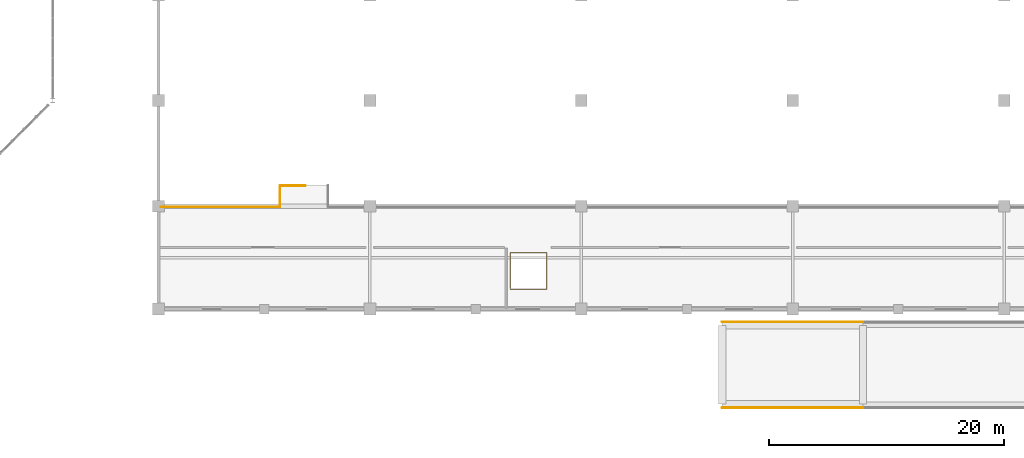
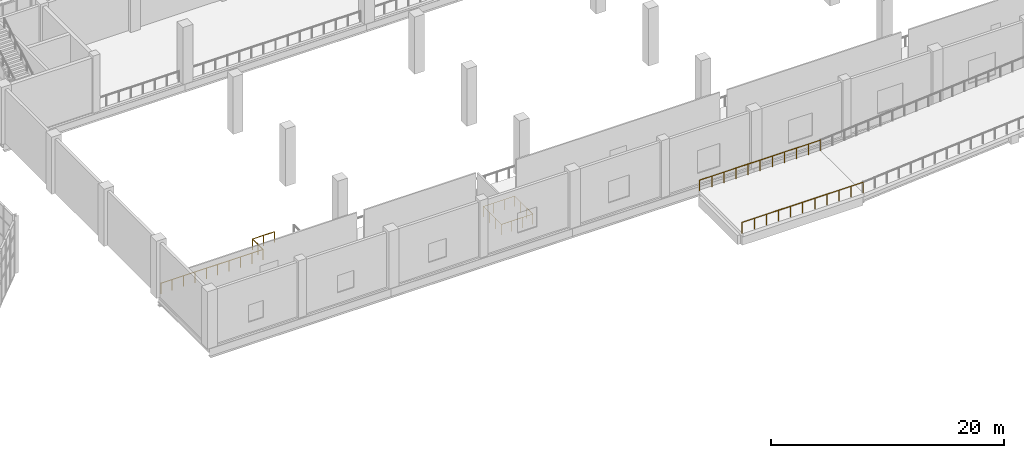
# One storey, part 144 of 159: 4 railings.
"""IFC4 building model written with IfcOpenShell, lengths in metres."""

from ifc_helpers import new_model, si_unit, direction, frame, origin, origin_2d, place, context, subcontext, project, spatial, circle, extrude, material, type_object, element, save


model = new_model("IFC4")

# Units and contexts
model_context = context("Model", 3, precision=1e-05, world=origin(), true_north=direction((0.0, 1.0)))
body_context = subcontext(model_context, "Body", "Model", "MODEL_VIEW")
ifc_project = project(units=[si_unit("LENGTHUNIT", "METRE"), si_unit("AREAUNIT", "SQUARE_METRE"), si_unit("VOLUMEUNIT", "CUBIC_METRE"), si_unit("PLANEANGLEUNIT", "RADIAN"), si_unit("MASSUNIT", "GRAM", prefix="KILO")], contexts=[model_context])

# Site, building, storey
site_placement = place(None, origin())
site = spatial("IfcSite", under=ifc_project, at=site_placement, CompositionType="ELEMENT")
building_placement = place(site_placement, origin())
building = spatial("IfcBuilding", under=site, at=building_placement, Name="Cazmaro Siding Exhibition Halls", CompositionType="ELEMENT")
storey_placement = place(building_placement, frame((0.0, 0.0, 6.0)))
storey = spatial("IfcBuildingStorey", under=building, at=storey_placement, Name="L01", CompositionType="ELEMENT", Elevation=6.0)

# Railings
ifc_material_1 = material(Name="Interior Laminated Glass and Brushed Stainless Steel Balustrade", Category="steel")
railing_type_1 = type_object("IfcRailingType", Name="RL-BAL-02", PredefinedType="BALUSTRADE", material=ifc_material_1)
railing_1_placement = place(storey_placement, frame((72.199951171875, 17.949951171875, 0.0)))
element("IfcRailing", 1, at=railing_1_placement, inside=storey, type_object=railing_type_1, Name="Hall B1 South Mezzanine Guard West RL-BAL-02 RL-G049", PredefinedType="BALUSTRADE", context=body_context, shape_type="SweptSolid", body=[
    extrude(circle(Radius=0.02392578125, at=origin_2d()), frame((0.0, 0.0, 1.09619140625), z_axis=(1.0, 0.0, 0.0), x_axis=(0.0, 1.0, 0.0)), (0.0, 0.0, 1.0), 10.150146484375),
    extrude(circle(Radius=0.02392578125, at=origin_2d()), frame((10.150146484375, 0.0, 1.09619140625), z_axis=(0.0, 1.0, 0.0), x_axis=(-1.0, 0.0, 0.0)), (0.0, 0.0, 1.0), 1.800048828125),
    extrude(circle(Radius=0.02392578125, at=origin_2d()), frame((10.150146484375, 1.800048828125, 1.09619140625), z_axis=(1.0, 0.0, 0.0), x_axis=(0.0, 1.0, 0.0)), (0.0, 0.0, 1.0), 2.14990234375),
    extrude(circle(Radius=0.02099609375, at=origin_2d()), origin(), (0.0, 0.0, 1.0), 1.072021484375),
    extrude(circle(Radius=0.02099609375, at=origin_2d()), frame((1.127685546875, 0.0, 0.0)), (0.0, 0.0, 1.0), 1.072021484375),
    extrude(circle(Radius=0.02099609375, at=origin_2d()), frame((2.255615234375, 0.0, 0.0)), (0.0, 0.0, 1.0), 1.072021484375),
    extrude(circle(Radius=0.02099609375, at=origin_2d()), frame((3.38330078125, 0.0, 0.0)), (0.0, 0.0, 1.0), 1.072021484375),
    extrude(circle(Radius=0.02099609375, at=origin_2d()), frame((4.51123046875, 0.0, 0.0)), (0.0, 0.0, 1.0), 1.072021484375),
    extrude(circle(Radius=0.02099609375, at=origin_2d()), frame((5.638916015625, 0.0, 0.0)), (0.0, 0.0, 1.0), 1.072021484375),
    extrude(circle(Radius=0.02099609375, at=origin_2d()), frame((6.766845703125, 0.0, 0.0)), (0.0, 0.0, 1.0), 1.072021484375),
    extrude(circle(Radius=0.02099609375, at=origin_2d()), frame((7.89453125, 0.0, 0.0)), (0.0, 0.0, 1.0), 1.072021484375),
    extrude(circle(Radius=0.02099609375, at=origin_2d()), frame((9.0224609375, 0.0, 0.0)), (0.0, 0.0, 1.0), 1.072021484375),
    extrude(circle(Radius=0.02099609375, at=origin_2d()), frame((10.150146484375, 0.0, 0.0)), (0.0, 0.0, 1.0), 1.072021484375),
    extrude(circle(Radius=0.02099609375, at=origin_2d()), frame((10.150146484375, 0.89990234375, 0.0)), (0.0, 0.0, 1.0), 1.072021484375),
    extrude(circle(Radius=0.02099609375, at=origin_2d()), frame((10.150146484375, 1.800048828125, 0.0)), (0.0, 0.0, 1.0), 1.072021484375),
    extrude(circle(Radius=0.02099609375, at=origin_2d()), frame((11.22509765625, 1.800048828125, 0.0)), (0.0, 0.0, 1.0), 1.072021484375),
    extrude(circle(Radius=0.02099609375, at=origin_2d()), frame((12.300048828125, 1.800048828125, 0.0)), (0.0, 0.0, 1.0), 1.072021484375),
])
railing_2_placement = place(storey_placement, frame((101.949951171875, 10.949951171875, 0.0)))
element("IfcRailing", 2, at=railing_2_placement, inside=storey, type_object=railing_type_1, Name="Hall B1 Mezzanine Void Guard RL-BAL-02 RL-G053", PredefinedType="BALUSTRADE", context=body_context, shape_type="SweptSolid", body=[
    extrude(circle(Radius=0.02392578125, at=origin_2d()), frame((0.0, 0.0, 1.09619140625), z_axis=(1.0, 0.0, 0.0), x_axis=(0.0, 1.0, 0.0)), (0.0, 0.0, 1.0), 3.10009765625),
    extrude(circle(Radius=0.02392578125, at=origin_2d()), frame((3.10009765625, 0.0, 1.09619140625), z_axis=(0.0, 1.0, 0.0), x_axis=(-1.0, 0.0, 0.0)), (0.0, 0.0, 1.0), 3.10009765625),
    extrude(circle(Radius=0.02392578125, at=origin_2d()), frame((3.10009765625, 3.10009765625, 1.09619140625), z_axis=(-1.0, 0.0, 0.0), x_axis=(0.0, -1.0, 0.0)), (0.0, 0.0, 1.0), 3.10009765625),
    extrude(circle(Radius=0.02392578125, at=origin_2d()), frame((0.0, 3.10009765625, 1.09619140625), z_axis=(0.0, -1.0, 0.0), x_axis=(1.0, 0.0, 0.0)), (0.0, 0.0, 1.0), 3.0400390625),
    extrude(circle(Radius=0.02099609375, at=origin_2d()), origin(), (0.0, 0.0, 1.0), 1.072021484375),
    extrude(circle(Radius=0.02099609375, at=origin_2d()), frame((1.033447265625, 0.0, 0.0)), (0.0, 0.0, 1.0), 1.072021484375),
    extrude(circle(Radius=0.02099609375, at=origin_2d()), frame((2.066650390625, 0.0, 0.0)), (0.0, 0.0, 1.0), 1.072021484375),
    extrude(circle(Radius=0.02099609375, at=origin_2d()), frame((3.10009765625, 0.0, 0.0)), (0.0, 0.0, 1.0), 1.072021484375),
    extrude(circle(Radius=0.02099609375, at=origin_2d()), frame((3.10009765625, 1.033447265625, 0.0)), (0.0, 0.0, 1.0), 1.072021484375),
    extrude(circle(Radius=0.02099609375, at=origin_2d()), frame((3.10009765625, 2.066650390625, 0.0)), (0.0, 0.0, 1.0), 1.072021484375),
    extrude(circle(Radius=0.02099609375, at=origin_2d()), frame((3.10009765625, 3.10009765625, 0.0)), (0.0, 0.0, 1.0), 1.072021484375),
    extrude(circle(Radius=0.02099609375, at=origin_2d()), frame((2.066650390625, 3.10009765625, 0.0)), (0.0, 0.0, 1.0), 1.072021484375),
    extrude(circle(Radius=0.02099609375, at=origin_2d()), frame((1.033447265625, 3.10009765625, 0.0)), (0.0, 0.0, 1.0), 1.072021484375),
    extrude(circle(Radius=0.02099609375, at=origin_2d()), frame((0.0, 3.10009765625, 0.0)), (0.0, 0.0, 1.0), 1.072021484375),
    extrude(circle(Radius=0.02099609375, at=origin_2d()), frame((0.0, 2.086669921875, 0.0)), (0.0, 0.0, 1.0), 1.072021484375),
    extrude(circle(Radius=0.02099609375, at=origin_2d()), frame((0.0, 1.073486328125, 0.0)), (0.0, 0.0, 1.0), 1.072021484375),
    extrude(circle(Radius=0.02099609375, at=origin_2d()), frame((0.0, 0.06005859375, 0.0)), (0.0, 0.0, 1.0), 1.072021484375),
])
ifc_material_2 = material(Name="Heavy-Duty Painted Steel Crash Guardrail", Category="steel")
railing_type_2 = type_object("IfcRailingType", Name="RL-GRD-02", PredefinedType="GUARDRAIL", material=ifc_material_2)
for number, where, name in (
    (3, (120.0, 0.85009765625, 0.0), "Truck Ramp Mid-Landing South Crash Guard RL-GRD-02 RL-G064"),
    (4, (120.0, 8.14990234375, 0.0), "Truck Ramp Mid-Landing North Crash Guard RL-GRD-02 RL-G065"),
):
    element("IfcRailing", number, at=place(storey_placement, frame(where)), inside=storey, type_object=railing_type_2, Name=name, PredefinedType="GUARDRAIL", context=body_context, shape_type="SweptSolid", body=[
        extrude(circle(Radius=0.02392578125, at=origin_2d()), frame((0.0, 0.0, 1.1259765625), z_axis=(1.0, 0.0, 0.0), x_axis=(0.0, 1.0, 0.0)), (0.0, 0.0, 1.0), 12.0),
        extrude(circle(Radius=0.02099609375, at=origin_2d()), origin(), (0.0, 0.0, 1.0), 1.101806640625),
        extrude(circle(Radius=0.02099609375, at=origin_2d()), frame((1.199951171875, 0.0, 0.0)), (0.0, 0.0, 1.0), 1.101806640625),
        extrude(circle(Radius=0.02099609375, at=origin_2d()), frame((2.39990234375, 0.0, 0.0)), (0.0, 0.0, 1.0), 1.101806640625),
        extrude(circle(Radius=0.02099609375, at=origin_2d()), frame((3.60009765625, 0.0, 0.0)), (0.0, 0.0, 1.0), 1.101806640625),
        extrude(circle(Radius=0.02099609375, at=origin_2d()), frame((4.800048828125, 0.0, 0.0)), (0.0, 0.0, 1.0), 1.101806640625),
        extrude(circle(Radius=0.02099609375, at=origin_2d()), frame((6.0, 0.0, 0.0)), (0.0, 0.0, 1.0), 1.101806640625),
        extrude(circle(Radius=0.02099609375, at=origin_2d()), frame((7.199951171875, 0.0, 0.0)), (0.0, 0.0, 1.0), 1.101806640625),
        extrude(circle(Radius=0.02099609375, at=origin_2d()), frame((8.39990234375, 0.0, 0.0)), (0.0, 0.0, 1.0), 1.101806640625),
        extrude(circle(Radius=0.02099609375, at=origin_2d()), frame((9.60009765625, 0.0, 0.0)), (0.0, 0.0, 1.0), 1.101806640625),
        extrude(circle(Radius=0.02099609375, at=origin_2d()), frame((10.800048828125, 0.0, 0.0)), (0.0, 0.0, 1.0), 1.101806640625),
        extrude(circle(Radius=0.02099609375, at=origin_2d()), frame((12.0, 0.0, 0.0)), (0.0, 0.0, 1.0), 1.101806640625),
    ])

save(model, "model.ifc")
